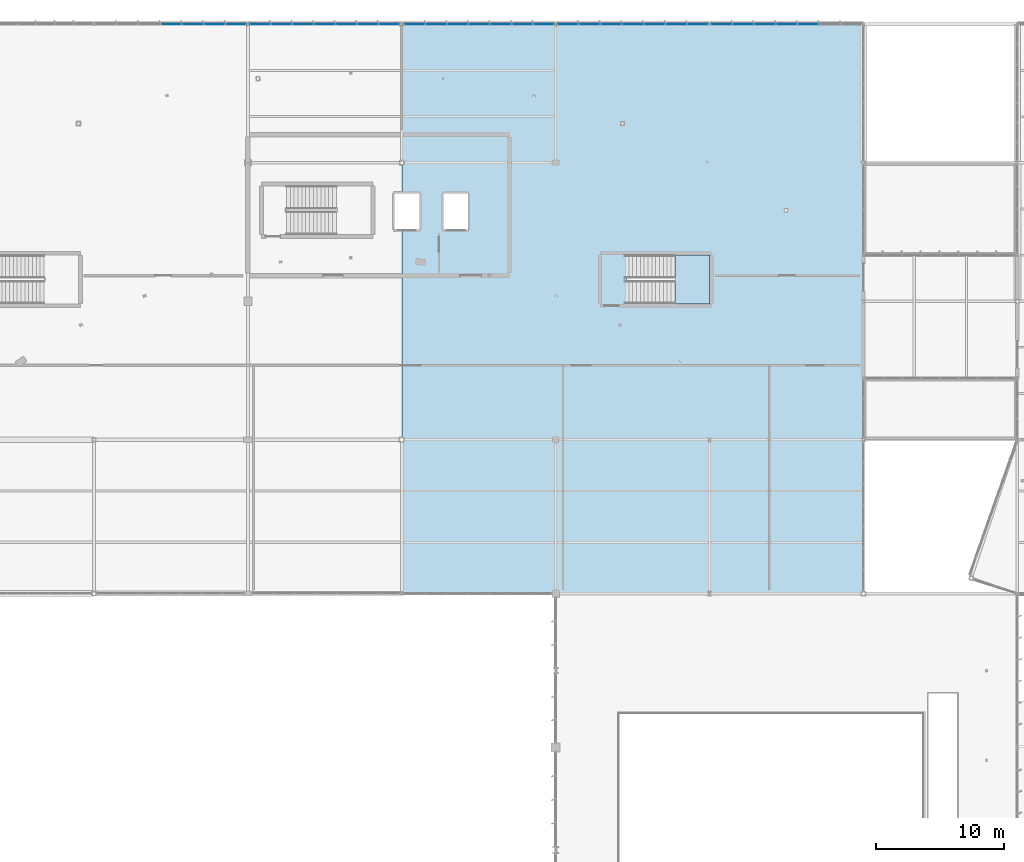
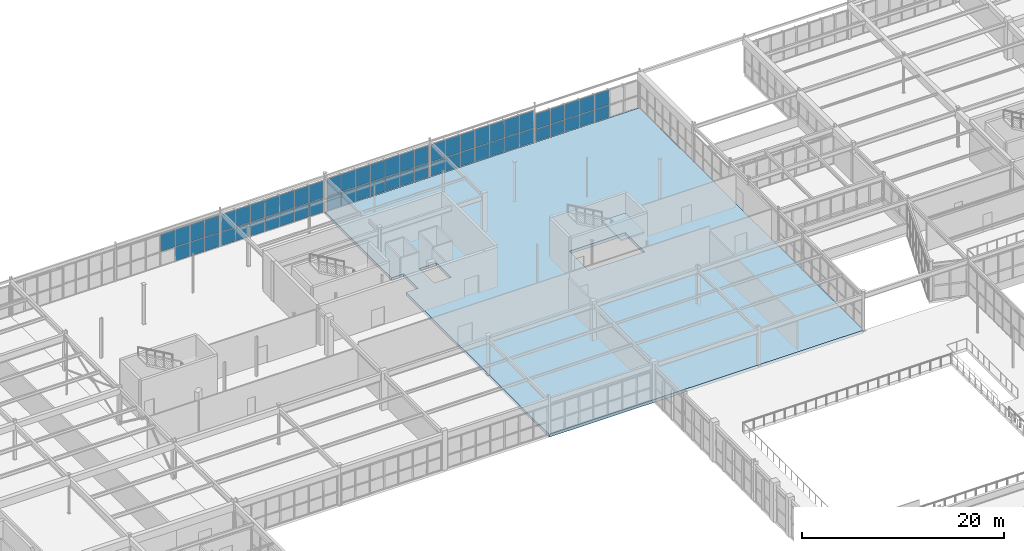
# One storey, part 142 of 226: 59 plates, 2 slabs, 6 elements without a shape of their own.
"""IFC4 building model written with IfcOpenShell, lengths in metres."""

from ifc_helpers import new_model, si_unit, direction, frame, origin, origin_2d, place, context, subcontext, project, spatial, polyline, rectangle, outline, extrude, material, layer, layer_set, type_object, element, aggregate, save


model = new_model("IFC4")

# Units and contexts
model_context = context("Model", 3, precision=1e-05, world=origin(), true_north=direction((0.0, 1.0)))
body_context = subcontext(model_context, "Body", "Model", "MODEL_VIEW")
ifc_project = project(units=[si_unit("LENGTHUNIT", "METRE"), si_unit("AREAUNIT", "SQUARE_METRE"), si_unit("VOLUMEUNIT", "CUBIC_METRE"), si_unit("PLANEANGLEUNIT", "RADIAN"), si_unit("MASSUNIT", "GRAM", prefix="KILO")], contexts=[model_context])

# Site, building, storey
site_placement = place(None, origin())
site = spatial("IfcSite", under=ifc_project, at=site_placement, CompositionType="ELEMENT")
building_placement = place(site_placement, origin())
building = spatial("IfcBuilding", under=site, at=building_placement, Name="Tarnwether General Hospital", CompositionType="ELEMENT")
storey_placement = place(building_placement, frame((0.0, 0.0, 4.800048828125)))
storey = spatial("IfcBuildingStorey", under=building, at=storey_placement, Name="L01", CompositionType="ELEMENT", Elevation=4.800048828125)

# Curtain wall, plates
ifc_material_1 = material(Name="Anodised aluminium", Category="aluminium")
ifc_layer_1 = layer(ifc_material_1, 0.159912109375)
ifc_layer_set_1 = layer_set([ifc_layer_1], Name="Anodised aluminium")
curtain_wall_type = type_object("IfcCurtainWallType", Name="CW-14", PredefinedType="NOTDEFINED", material=ifc_layer_set_1)
curtain_wall_1_placement = place(storey_placement, origin())
curtain_wall_1 = element("IfcCurtainWall", 1, at=curtain_wall_1_placement, inside=storey, type_object=curtain_wall_type, Name="Curtain Wall CWG-L01-721_1260-0324", PredefinedType="NOTDEFINED")
ifc_material_2 = material(Name="Double glazed low-E glass", Category="glass")
ifc_layer_2 = layer(ifc_material_2, 0.028076171875)
ifc_layer_set_2 = layer_set([ifc_layer_2], Name="Double glazed low-E glass")
plate_type = type_object("IfcPlateType", Name="PT-CWP1", PredefinedType="CURTAIN_PANEL", material=ifc_layer_set_2)
plate_1_placement = place(storey_placement, frame((78.0, 126.0, 1.785888671875), z_axis=(0.0, 0.0, 1.0), x_axis=(1.0, 0.0, 0.0)))
plate_1 = element("IfcPlate", 2, at=plate_1_placement, type_object=plate_type, Name="CW-14 panel 4.2", PredefinedType="CURTAIN_PANEL", context=body_context, shape_type="SweptSolid", body=[
    extrude(rectangle(XDim=1.63037109375, YDim=0.028076171875, at=origin_2d()), origin(), (0.0, 0.0, 1.0), 2.05615234375),
])
plate_2_placement = place(storey_placement, frame((79.690185546875, 126.0, 0.059814453125), z_axis=(0.0, 0.0, 1.0), x_axis=(1.0, 0.0, 0.0)))
plate_2 = element("IfcPlate", 3, at=plate_2_placement, type_object=plate_type, Name="CW-14 panel 5.1", PredefinedType="CURTAIN_PANEL", context=body_context, shape_type="SweptSolid", body=[
    extrude(rectangle(XDim=1.63037109375, YDim=0.028076171875, at=origin_2d()), origin(), (0.0, 0.0, 1.0), 1.666015625),
])
plate_3_placement = place(storey_placement, frame((79.690185546875, 126.0, 1.785888671875), z_axis=(0.0, 0.0, 1.0), x_axis=(1.0, 0.0, 0.0)))
plate_3 = element("IfcPlate", 4, at=plate_3_placement, type_object=plate_type, Name="CW-14 panel 5.2", PredefinedType="CURTAIN_PANEL", context=body_context, shape_type="SweptSolid", body=[
    extrude(rectangle(XDim=1.63037109375, YDim=0.028076171875, at=origin_2d()), origin(), (0.0, 0.0, 1.0), 2.05615234375),
])
plate_4_placement = place(storey_placement, frame((81.380615234375, 126.0, 0.059814453125), z_axis=(0.0, 0.0, 1.0), x_axis=(1.0, 0.0, 0.0)))
plate_4 = element("IfcPlate", 5, at=plate_4_placement, type_object=plate_type, Name="CW-14 panel 6.1", PredefinedType="CURTAIN_PANEL", context=body_context, shape_type="SweptSolid", body=[
    extrude(rectangle(XDim=1.63037109375, YDim=0.028076171875, at=origin_2d()), origin(), (0.0, 0.0, 1.0), 1.666015625),
])
plate_5_placement = place(storey_placement, frame((81.380615234375, 126.0, 1.785888671875), z_axis=(0.0, 0.0, 1.0), x_axis=(1.0, 0.0, 0.0)))
plate_5 = element("IfcPlate", 6, at=plate_5_placement, type_object=plate_type, Name="CW-14 panel 6.2", PredefinedType="CURTAIN_PANEL", context=body_context, shape_type="SweptSolid", body=[
    extrude(rectangle(XDim=1.63037109375, YDim=0.028076171875, at=origin_2d()), origin(), (0.0, 0.0, 1.0), 2.05615234375),
])
plate_6_placement = place(storey_placement, frame((83.055908203125, 126.0, 0.059814453125), z_axis=(0.0, 0.0, 1.0), x_axis=(1.0, 0.0, 0.0)))
plate_6 = element("IfcPlate", 7, at=plate_6_placement, type_object=plate_type, Name="CW-14 panel 7.1", PredefinedType="CURTAIN_PANEL", context=body_context, shape_type="SweptSolid", body=[
    extrude(rectangle(XDim=1.600341796875, YDim=0.028076171875, at=origin_2d()), origin(), (0.0, 0.0, 1.0), 1.666015625),
])
plate_7_placement = place(storey_placement, frame((83.055908203125, 126.0, 1.785888671875), z_axis=(0.0, 0.0, 1.0), x_axis=(1.0, 0.0, 0.0)))
plate_7 = element("IfcPlate", 8, at=plate_7_placement, type_object=plate_type, Name="CW-14 panel 7.2", PredefinedType="CURTAIN_PANEL", context=body_context, shape_type="SweptSolid", body=[
    extrude(rectangle(XDim=1.600341796875, YDim=0.028076171875, at=origin_2d()), origin(), (0.0, 0.0, 1.0), 2.05615234375),
])
aggregate(curtain_wall_1, [plate_1, plate_2, plate_3, plate_4, plate_5, plate_6, plate_7])

curtain_wall_2_placement = place(storey_placement, origin())
curtain_wall_2 = element("IfcCurtainWall", 9, at=curtain_wall_2_placement, inside=storey, type_object=curtain_wall_type, Name="Curtain Wall CWG-L01-841_1260-0325", PredefinedType="NOTDEFINED")
plate_8_placement = place(storey_placement, frame((84.93896484375, 126.0, 0.059814453125), z_axis=(0.0, 0.0, 1.0), x_axis=(1.0, 0.0, 0.0)))
plate_8 = element("IfcPlate", 10, at=plate_8_placement, type_object=plate_type, Name="CW-14 panel 1.1", PredefinedType="CURTAIN_PANEL", context=body_context, shape_type="SweptSolid", body=[
    extrude(rectangle(XDim=1.589599609375, YDim=0.028076171875, at=origin_2d()), origin(), (0.0, 0.0, 1.0), 1.666015625),
])
plate_9_placement = place(storey_placement, frame((84.93896484375, 126.0, 1.785888671875), z_axis=(0.0, 0.0, 1.0), x_axis=(1.0, 0.0, 0.0)))
plate_9 = element("IfcPlate", 11, at=plate_9_placement, type_object=plate_type, Name="CW-14 panel 1.2", PredefinedType="CURTAIN_PANEL", context=body_context, shape_type="SweptSolid", body=[
    extrude(rectangle(XDim=1.589599609375, YDim=0.028076171875, at=origin_2d()), origin(), (0.0, 0.0, 1.0), 2.05615234375),
])
plate_10_placement = place(storey_placement, frame((86.603515625, 126.0, 0.059814453125), z_axis=(0.0, 0.0, 1.0), x_axis=(1.0, 0.0, 0.0)))
plate_10 = element("IfcPlate", 12, at=plate_10_placement, type_object=plate_type, Name="CW-14 panel 2.1", PredefinedType="CURTAIN_PANEL", context=body_context, shape_type="SweptSolid", body=[
    extrude(rectangle(XDim=1.61962890625, YDim=0.028076171875, at=origin_2d()), origin(), (0.0, 0.0, 1.0), 1.666015625),
])
plate_11_placement = place(storey_placement, frame((86.603515625, 126.0, 1.785888671875), z_axis=(0.0, 0.0, 1.0), x_axis=(1.0, 0.0, 0.0)))
plate_11 = element("IfcPlate", 13, at=plate_11_placement, type_object=plate_type, Name="CW-14 panel 2.2", PredefinedType="CURTAIN_PANEL", context=body_context, shape_type="SweptSolid", body=[
    extrude(rectangle(XDim=1.61962890625, YDim=0.028076171875, at=origin_2d()), origin(), (0.0, 0.0, 1.0), 2.05615234375),
])
plate_12_placement = place(storey_placement, frame((88.283203125, 126.0, 0.059814453125), z_axis=(0.0, 0.0, 1.0), x_axis=(1.0, 0.0, 0.0)))
plate_12 = element("IfcPlate", 14, at=plate_12_placement, type_object=plate_type, Name="CW-14 panel 3.1", PredefinedType="CURTAIN_PANEL", context=body_context, shape_type="SweptSolid", body=[
    extrude(rectangle(XDim=1.61962890625, YDim=0.028076171875, at=origin_2d()), origin(), (0.0, 0.0, 1.0), 1.666015625),
])
plate_13_placement = place(storey_placement, frame((88.283203125, 126.0, 1.785888671875), z_axis=(0.0, 0.0, 1.0), x_axis=(1.0, 0.0, 0.0)))
plate_13 = element("IfcPlate", 15, at=plate_13_placement, type_object=plate_type, Name="CW-14 panel 3.2", PredefinedType="CURTAIN_PANEL", context=body_context, shape_type="SweptSolid", body=[
    extrude(rectangle(XDim=1.61962890625, YDim=0.028076171875, at=origin_2d()), origin(), (0.0, 0.0, 1.0), 2.05615234375),
])
plate_14_placement = place(storey_placement, frame((89.962890625, 126.0, 0.059814453125), z_axis=(0.0, 0.0, 1.0), x_axis=(1.0, 0.0, 0.0)))
plate_14 = element("IfcPlate", 16, at=plate_14_placement, type_object=plate_type, Name="CW-14 panel 4.1", PredefinedType="CURTAIN_PANEL", context=body_context, shape_type="SweptSolid", body=[
    extrude(rectangle(XDim=1.61962890625, YDim=0.028076171875, at=origin_2d()), origin(), (0.0, 0.0, 1.0), 1.666015625),
])
plate_15_placement = place(storey_placement, frame((89.962890625, 126.0, 1.785888671875), z_axis=(0.0, 0.0, 1.0), x_axis=(1.0, 0.0, 0.0)))
plate_15 = element("IfcPlate", 17, at=plate_15_placement, type_object=plate_type, Name="CW-14 panel 4.2", PredefinedType="CURTAIN_PANEL", context=body_context, shape_type="SweptSolid", body=[
    extrude(rectangle(XDim=1.61962890625, YDim=0.028076171875, at=origin_2d()), origin(), (0.0, 0.0, 1.0), 2.05615234375),
])
plate_16_placement = place(storey_placement, frame((91.642822265625, 126.0, 0.059814453125), z_axis=(0.0, 0.0, 1.0), x_axis=(1.0, 0.0, 0.0)))
plate_16 = element("IfcPlate", 18, at=plate_16_placement, type_object=plate_type, Name="CW-14 panel 5.1", PredefinedType="CURTAIN_PANEL", context=body_context, shape_type="SweptSolid", body=[
    extrude(rectangle(XDim=1.61962890625, YDim=0.028076171875, at=origin_2d()), origin(), (0.0, 0.0, 1.0), 1.666015625),
])
plate_17_placement = place(storey_placement, frame((91.642822265625, 126.0, 1.785888671875), z_axis=(0.0, 0.0, 1.0), x_axis=(1.0, 0.0, 0.0)))
plate_17 = element("IfcPlate", 19, at=plate_17_placement, type_object=plate_type, Name="CW-14 panel 5.2", PredefinedType="CURTAIN_PANEL", context=body_context, shape_type="SweptSolid", body=[
    extrude(rectangle(XDim=1.61962890625, YDim=0.028076171875, at=origin_2d()), origin(), (0.0, 0.0, 1.0), 2.05615234375),
])
plate_18_placement = place(storey_placement, frame((93.322509765625, 126.0, 0.059814453125), z_axis=(0.0, 0.0, 1.0), x_axis=(1.0, 0.0, 0.0)))
plate_18 = element("IfcPlate", 20, at=plate_18_placement, type_object=plate_type, Name="CW-14 panel 6.1", PredefinedType="CURTAIN_PANEL", context=body_context, shape_type="SweptSolid", body=[
    extrude(rectangle(XDim=1.61962890625, YDim=0.028076171875, at=origin_2d()), origin(), (0.0, 0.0, 1.0), 1.666015625),
])
plate_19_placement = place(storey_placement, frame((93.322509765625, 126.0, 1.785888671875), z_axis=(0.0, 0.0, 1.0), x_axis=(1.0, 0.0, 0.0)))
plate_19 = element("IfcPlate", 21, at=plate_19_placement, type_object=plate_type, Name="CW-14 panel 6.2", PredefinedType="CURTAIN_PANEL", context=body_context, shape_type="SweptSolid", body=[
    extrude(rectangle(XDim=1.61962890625, YDim=0.028076171875, at=origin_2d()), origin(), (0.0, 0.0, 1.0), 2.05615234375),
])
plate_20_placement = place(storey_placement, frame((94.987060546875, 126.0, 0.059814453125), z_axis=(0.0, 0.0, 1.0), x_axis=(1.0, 0.0, 0.0)))
plate_20 = element("IfcPlate", 22, at=plate_20_placement, type_object=plate_type, Name="CW-14 panel 7.1", PredefinedType="CURTAIN_PANEL", context=body_context, shape_type="SweptSolid", body=[
    extrude(rectangle(XDim=1.589599609375, YDim=0.028076171875, at=origin_2d()), origin(), (0.0, 0.0, 1.0), 1.666015625),
])
plate_21_placement = place(storey_placement, frame((94.987060546875, 126.0, 1.785888671875), z_axis=(0.0, 0.0, 1.0), x_axis=(1.0, 0.0, 0.0)))
plate_21 = element("IfcPlate", 23, at=plate_21_placement, type_object=plate_type, Name="CW-14 panel 7.2", PredefinedType="CURTAIN_PANEL", context=body_context, shape_type="SweptSolid", body=[
    extrude(rectangle(XDim=1.589599609375, YDim=0.028076171875, at=origin_2d()), origin(), (0.0, 0.0, 1.0), 2.05615234375),
])
aggregate(curtain_wall_2, [plate_8, plate_9, plate_10, plate_11, plate_12, plate_13, plate_14, plate_15, plate_16, plate_17, plate_18, plate_19, plate_20, plate_21])

curtain_wall_3_placement = place(storey_placement, origin())
curtain_wall_3 = element("IfcCurtainWall", 24, at=curtain_wall_3_placement, inside=storey, type_object=curtain_wall_type, Name="Curtain Wall CWG-L01-962_1260-0326", PredefinedType="NOTDEFINED")
plate_22_placement = place(storey_placement, frame((97.012451171875, 126.0, 0.06005859375), z_axis=(0.0, 0.0, 1.0), x_axis=(1.0, 0.0, 0.0)))
plate_22 = element("IfcPlate", 25, at=plate_22_placement, type_object=plate_type, Name="CW-14 panel 1.1", PredefinedType="CURTAIN_PANEL", context=body_context, shape_type="SweptSolid", body=[
    extrude(rectangle(XDim=1.589111328125, YDim=0.028076171875, at=origin_2d()), origin(), (0.0, 0.0, 1.0), 1.696533203125),
])
plate_23_placement = place(storey_placement, frame((97.012451171875, 126.0, 1.81640625), z_axis=(0.0, 0.0, 1.0), x_axis=(1.0, 0.0, 0.0)))
plate_23 = element("IfcPlate", 26, at=plate_23_placement, type_object=plate_type, Name="CW-14 panel 1.2", PredefinedType="CURTAIN_PANEL", context=body_context, shape_type="SweptSolid", body=[
    extrude(rectangle(XDim=1.589111328125, YDim=0.028076171875, at=origin_2d()), origin(), (0.0, 0.0, 1.0), 2.093505859375),
])
plate_24_placement = place(storey_placement, frame((98.676513671875, 126.0, 0.06005859375), z_axis=(0.0, 0.0, 1.0), x_axis=(1.0, 0.0, 0.0)))
plate_24 = element("IfcPlate", 27, at=plate_24_placement, type_object=plate_type, Name="CW-14 panel 2.1", PredefinedType="CURTAIN_PANEL", context=body_context, shape_type="SweptSolid", body=[
    extrude(rectangle(XDim=1.618896484375, YDim=0.028076171875, at=origin_2d()), origin(), (0.0, 0.0, 1.0), 1.696533203125),
])
plate_25_placement = place(storey_placement, frame((98.676513671875, 126.0, 1.81640625), z_axis=(0.0, 0.0, 1.0), x_axis=(1.0, 0.0, 0.0)))
plate_25 = element("IfcPlate", 28, at=plate_25_placement, type_object=plate_type, Name="CW-14 panel 2.2", PredefinedType="CURTAIN_PANEL", context=body_context, shape_type="SweptSolid", body=[
    extrude(rectangle(XDim=1.618896484375, YDim=0.028076171875, at=origin_2d()), origin(), (0.0, 0.0, 1.0), 2.093505859375),
])
plate_26_placement = place(storey_placement, frame((100.35546875, 126.0, 0.06005859375), z_axis=(0.0, 0.0, 1.0), x_axis=(1.0, 0.0, 0.0)))
plate_26 = element("IfcPlate", 29, at=plate_26_placement, type_object=plate_type, Name="CW-14 panel 3.1", PredefinedType="CURTAIN_PANEL", context=body_context, shape_type="SweptSolid", body=[
    extrude(rectangle(XDim=1.618896484375, YDim=0.028076171875, at=origin_2d()), origin(), (0.0, 0.0, 1.0), 1.696533203125),
])
plate_27_placement = place(storey_placement, frame((100.35546875, 126.0, 1.81640625), z_axis=(0.0, 0.0, 1.0), x_axis=(1.0, 0.0, 0.0)))
plate_27 = element("IfcPlate", 30, at=plate_27_placement, type_object=plate_type, Name="CW-14 panel 3.2", PredefinedType="CURTAIN_PANEL", context=body_context, shape_type="SweptSolid", body=[
    extrude(rectangle(XDim=1.618896484375, YDim=0.028076171875, at=origin_2d()), origin(), (0.0, 0.0, 1.0), 2.093505859375),
])
plate_28_placement = place(storey_placement, frame((102.034423828125, 126.0, 0.06005859375), z_axis=(0.0, 0.0, 1.0), x_axis=(1.0, 0.0, 0.0)))
plate_28 = element("IfcPlate", 31, at=plate_28_placement, type_object=plate_type, Name="CW-14 panel 4.1", PredefinedType="CURTAIN_PANEL", context=body_context, shape_type="SweptSolid", body=[
    extrude(rectangle(XDim=1.618896484375, YDim=0.028076171875, at=origin_2d()), origin(), (0.0, 0.0, 1.0), 1.696533203125),
])
plate_29_placement = place(storey_placement, frame((102.034423828125, 126.0, 1.81640625), z_axis=(0.0, 0.0, 1.0), x_axis=(1.0, 0.0, 0.0)))
plate_29 = element("IfcPlate", 32, at=plate_29_placement, type_object=plate_type, Name="CW-14 panel 4.2", PredefinedType="CURTAIN_PANEL", context=body_context, shape_type="SweptSolid", body=[
    extrude(rectangle(XDim=1.618896484375, YDim=0.028076171875, at=origin_2d()), origin(), (0.0, 0.0, 1.0), 2.093505859375),
])
plate_30_placement = place(storey_placement, frame((103.71337890625, 126.0, 0.06005859375), z_axis=(0.0, 0.0, 1.0), x_axis=(1.0, 0.0, 0.0)))
plate_30 = element("IfcPlate", 33, at=plate_30_placement, type_object=plate_type, Name="CW-14 panel 5.1", PredefinedType="CURTAIN_PANEL", context=body_context, shape_type="SweptSolid", body=[
    extrude(rectangle(XDim=1.618896484375, YDim=0.028076171875, at=origin_2d()), origin(), (0.0, 0.0, 1.0), 1.696533203125),
])
plate_31_placement = place(storey_placement, frame((103.71337890625, 126.0, 1.81640625), z_axis=(0.0, 0.0, 1.0), x_axis=(1.0, 0.0, 0.0)))
plate_31 = element("IfcPlate", 34, at=plate_31_placement, type_object=plate_type, Name="CW-14 panel 5.2", PredefinedType="CURTAIN_PANEL", context=body_context, shape_type="SweptSolid", body=[
    extrude(rectangle(XDim=1.618896484375, YDim=0.028076171875, at=origin_2d()), origin(), (0.0, 0.0, 1.0), 2.093505859375),
])
plate_32_placement = place(storey_placement, frame((105.392578125, 126.0, 0.06005859375), z_axis=(0.0, 0.0, 1.0), x_axis=(1.0, 0.0, 0.0)))
plate_32 = element("IfcPlate", 35, at=plate_32_placement, type_object=plate_type, Name="CW-14 panel 6.1", PredefinedType="CURTAIN_PANEL", context=body_context, shape_type="SweptSolid", body=[
    extrude(rectangle(XDim=1.618896484375, YDim=0.028076171875, at=origin_2d()), origin(), (0.0, 0.0, 1.0), 1.696533203125),
])
plate_33_placement = place(storey_placement, frame((105.392578125, 126.0, 1.81640625), z_axis=(0.0, 0.0, 1.0), x_axis=(1.0, 0.0, 0.0)))
plate_33 = element("IfcPlate", 36, at=plate_33_placement, type_object=plate_type, Name="CW-14 panel 6.2", PredefinedType="CURTAIN_PANEL", context=body_context, shape_type="SweptSolid", body=[
    extrude(rectangle(XDim=1.618896484375, YDim=0.028076171875, at=origin_2d()), origin(), (0.0, 0.0, 1.0), 2.093505859375),
])
plate_34_placement = place(storey_placement, frame((107.056396484375, 126.0, 0.06005859375), z_axis=(0.0, 0.0, 1.0), x_axis=(1.0, 0.0, 0.0)))
plate_34 = element("IfcPlate", 37, at=plate_34_placement, type_object=plate_type, Name="CW-14 panel 7.1", PredefinedType="CURTAIN_PANEL", context=body_context, shape_type="SweptSolid", body=[
    extrude(rectangle(XDim=1.589111328125, YDim=0.028076171875, at=origin_2d()), origin(), (0.0, 0.0, 1.0), 1.696533203125),
])
plate_35_placement = place(storey_placement, frame((107.056396484375, 126.0, 1.81640625), z_axis=(0.0, 0.0, 1.0), x_axis=(1.0, 0.0, 0.0)))
plate_35 = element("IfcPlate", 38, at=plate_35_placement, type_object=plate_type, Name="CW-14 panel 7.2", PredefinedType="CURTAIN_PANEL", context=body_context, shape_type="SweptSolid", body=[
    extrude(rectangle(XDim=1.589111328125, YDim=0.028076171875, at=origin_2d()), origin(), (0.0, 0.0, 1.0), 2.093505859375),
])
aggregate(curtain_wall_3, [plate_22, plate_23, plate_24, plate_25, plate_26, plate_27, plate_28, plate_29, plate_30, plate_31, plate_32, plate_33, plate_34, plate_35])

curtain_wall_4_placement = place(storey_placement, origin())
curtain_wall_4 = element("IfcCurtainWall", 39, at=curtain_wall_4_placement, inside=storey, type_object=curtain_wall_type, Name="Curtain Wall CWG-L01-1081_1260-0327", PredefinedType="NOTDEFINED")
plate_36_placement = place(storey_placement, frame((108.94970703125, 126.0, 0.06005859375), z_axis=(0.0, 0.0, 1.0), x_axis=(1.0, 0.0, 0.0)))
plate_36 = element("IfcPlate", 40, at=plate_36_placement, type_object=plate_type, Name="CW-14 panel 1.1", PredefinedType="CURTAIN_PANEL", context=body_context, shape_type="SweptSolid", body=[
    extrude(rectangle(XDim=1.601318359375, YDim=0.028076171875, at=origin_2d()), origin(), (0.0, 0.0, 1.0), 1.69775390625),
])
plate_37_placement = place(storey_placement, frame((108.94970703125, 126.0, 1.817626953125), z_axis=(0.0, 0.0, 1.0), x_axis=(1.0, 0.0, 0.0)))
plate_37 = element("IfcPlate", 41, at=plate_37_placement, type_object=plate_type, Name="CW-14 panel 1.2", PredefinedType="CURTAIN_PANEL", context=body_context, shape_type="SweptSolid", body=[
    extrude(rectangle(XDim=1.601318359375, YDim=0.028076171875, at=origin_2d()), origin(), (0.0, 0.0, 1.0), 2.09521484375),
])
plate_38_placement = place(storey_placement, frame((110.626220703125, 126.0, 0.06005859375), z_axis=(0.0, 0.0, 1.0), x_axis=(1.0, 0.0, 0.0)))
plate_38 = element("IfcPlate", 42, at=plate_38_placement, type_object=plate_type, Name="CW-14 panel 2.1", PredefinedType="CURTAIN_PANEL", context=body_context, shape_type="SweptSolid", body=[
    extrude(rectangle(XDim=1.63134765625, YDim=0.028076171875, at=origin_2d()), origin(), (0.0, 0.0, 1.0), 1.69775390625),
])
plate_39_placement = place(storey_placement, frame((110.626220703125, 126.0, 1.817626953125), z_axis=(0.0, 0.0, 1.0), x_axis=(1.0, 0.0, 0.0)))
plate_39 = element("IfcPlate", 43, at=plate_39_placement, type_object=plate_type, Name="CW-14 panel 2.2", PredefinedType="CURTAIN_PANEL", context=body_context, shape_type="SweptSolid", body=[
    extrude(rectangle(XDim=1.63134765625, YDim=0.028076171875, at=origin_2d()), origin(), (0.0, 0.0, 1.0), 2.09521484375),
])
plate_40_placement = place(storey_placement, frame((112.317626953125, 126.0, 0.06005859375), z_axis=(0.0, 0.0, 1.0), x_axis=(1.0, 0.0, 0.0)))
plate_40 = element("IfcPlate", 44, at=plate_40_placement, type_object=plate_type, Name="CW-14 panel 3.1", PredefinedType="CURTAIN_PANEL", context=body_context, shape_type="SweptSolid", body=[
    extrude(rectangle(XDim=1.63134765625, YDim=0.028076171875, at=origin_2d()), origin(), (0.0, 0.0, 1.0), 1.69775390625),
])
plate_41_placement = place(storey_placement, frame((112.317626953125, 126.0, 1.817626953125), z_axis=(0.0, 0.0, 1.0), x_axis=(1.0, 0.0, 0.0)))
plate_41 = element("IfcPlate", 45, at=plate_41_placement, type_object=plate_type, Name="CW-14 panel 3.2", PredefinedType="CURTAIN_PANEL", context=body_context, shape_type="SweptSolid", body=[
    extrude(rectangle(XDim=1.63134765625, YDim=0.028076171875, at=origin_2d()), origin(), (0.0, 0.0, 1.0), 2.09521484375),
])
plate_42_placement = place(storey_placement, frame((114.009033203125, 126.0, 0.06005859375), z_axis=(0.0, 0.0, 1.0), x_axis=(1.0, 0.0, 0.0)))
plate_42 = element("IfcPlate", 46, at=plate_42_placement, type_object=plate_type, Name="CW-14 panel 4.1", PredefinedType="CURTAIN_PANEL", context=body_context, shape_type="SweptSolid", body=[
    extrude(rectangle(XDim=1.63134765625, YDim=0.028076171875, at=origin_2d()), origin(), (0.0, 0.0, 1.0), 1.69775390625),
])
plate_43_placement = place(storey_placement, frame((114.009033203125, 126.0, 1.817626953125), z_axis=(0.0, 0.0, 1.0), x_axis=(1.0, 0.0, 0.0)))
plate_43 = element("IfcPlate", 47, at=plate_43_placement, type_object=plate_type, Name="CW-14 panel 4.2", PredefinedType="CURTAIN_PANEL", context=body_context, shape_type="SweptSolid", body=[
    extrude(rectangle(XDim=1.63134765625, YDim=0.028076171875, at=origin_2d()), origin(), (0.0, 0.0, 1.0), 2.09521484375),
])
plate_44_placement = place(storey_placement, frame((115.700439453125, 126.0, 0.06005859375), z_axis=(0.0, 0.0, 1.0), x_axis=(1.0, 0.0, 0.0)))
plate_44 = element("IfcPlate", 48, at=plate_44_placement, type_object=plate_type, Name="CW-14 panel 5.1", PredefinedType="CURTAIN_PANEL", context=body_context, shape_type="SweptSolid", body=[
    extrude(rectangle(XDim=1.63134765625, YDim=0.028076171875, at=origin_2d()), origin(), (0.0, 0.0, 1.0), 1.69775390625),
])
plate_45_placement = place(storey_placement, frame((115.700439453125, 126.0, 1.817626953125), z_axis=(0.0, 0.0, 1.0), x_axis=(1.0, 0.0, 0.0)))
plate_45 = element("IfcPlate", 49, at=plate_45_placement, type_object=plate_type, Name="CW-14 panel 5.2", PredefinedType="CURTAIN_PANEL", context=body_context, shape_type="SweptSolid", body=[
    extrude(rectangle(XDim=1.63134765625, YDim=0.028076171875, at=origin_2d()), origin(), (0.0, 0.0, 1.0), 2.09521484375),
])
plate_46_placement = place(storey_placement, frame((117.391845703125, 126.0, 0.06005859375), z_axis=(0.0, 0.0, 1.0), x_axis=(1.0, 0.0, 0.0)))
plate_46 = element("IfcPlate", 50, at=plate_46_placement, type_object=plate_type, Name="CW-14 panel 6.1", PredefinedType="CURTAIN_PANEL", context=body_context, shape_type="SweptSolid", body=[
    extrude(rectangle(XDim=1.63134765625, YDim=0.028076171875, at=origin_2d()), origin(), (0.0, 0.0, 1.0), 1.69775390625),
])
plate_47_placement = place(storey_placement, frame((117.391845703125, 126.0, 1.817626953125), z_axis=(0.0, 0.0, 1.0), x_axis=(1.0, 0.0, 0.0)))
plate_47 = element("IfcPlate", 51, at=plate_47_placement, type_object=plate_type, Name="CW-14 panel 6.2", PredefinedType="CURTAIN_PANEL", context=body_context, shape_type="SweptSolid", body=[
    extrude(rectangle(XDim=1.63134765625, YDim=0.028076171875, at=origin_2d()), origin(), (0.0, 0.0, 1.0), 2.09521484375),
])
plate_48_placement = place(storey_placement, frame((119.068359375, 126.0, 0.06005859375), z_axis=(0.0, 0.0, 1.0), x_axis=(1.0, 0.0, 0.0)))
plate_48 = element("IfcPlate", 52, at=plate_48_placement, type_object=plate_type, Name="CW-14 panel 7.1", PredefinedType="CURTAIN_PANEL", context=body_context, shape_type="SweptSolid", body=[
    extrude(rectangle(XDim=1.601318359375, YDim=0.028076171875, at=origin_2d()), origin(), (0.0, 0.0, 1.0), 1.69775390625),
])
plate_49_placement = place(storey_placement, frame((119.068359375, 126.0, 1.817626953125), z_axis=(0.0, 0.0, 1.0), x_axis=(1.0, 0.0, 0.0)))
plate_49 = element("IfcPlate", 53, at=plate_49_placement, type_object=plate_type, Name="CW-14 panel 7.2", PredefinedType="CURTAIN_PANEL", context=body_context, shape_type="SweptSolid", body=[
    extrude(rectangle(XDim=1.601318359375, YDim=0.028076171875, at=origin_2d()), origin(), (0.0, 0.0, 1.0), 2.09521484375),
])
aggregate(curtain_wall_4, [plate_36, plate_37, plate_38, plate_39, plate_40, plate_41, plate_42, plate_43, plate_44, plate_45, plate_46, plate_47, plate_48, plate_49])

curtain_wall_5_placement = place(storey_placement, origin())
curtain_wall_5 = element("IfcCurtainWall", 54, at=curtain_wall_5_placement, inside=storey, type_object=curtain_wall_type, Name="Curtain Wall CWG-L01-1201_1260-0328", PredefinedType="NOTDEFINED")
plate_50_placement = place(storey_placement, frame((120.93212890625, 126.0, 0.059814453125), z_axis=(0.0, 0.0, 1.0), x_axis=(1.0, 0.0, 0.0)))
plate_50 = element("IfcPlate", 55, at=plate_50_placement, type_object=plate_type, Name="CW-14 panel 1.1", PredefinedType="CURTAIN_PANEL", context=body_context, shape_type="SweptSolid", body=[
    extrude(rectangle(XDim=1.60205078125, YDim=0.028076171875, at=origin_2d()), origin(), (0.0, 0.0, 1.0), 1.47607421875),
])
plate_51_placement = place(storey_placement, frame((120.93212890625, 126.0, 1.59619140625), z_axis=(0.0, 0.0, 1.0), x_axis=(1.0, 0.0, 0.0)))
plate_51 = element("IfcPlate", 56, at=plate_51_placement, type_object=plate_type, Name="CW-14 panel 1.2", PredefinedType="CURTAIN_PANEL", context=body_context, shape_type="SweptSolid", body=[
    extrude(rectangle(XDim=1.60205078125, YDim=0.028076171875, at=origin_2d()), origin(), (0.0, 0.0, 1.0), 1.823974609375),
])
plate_52_placement = place(storey_placement, frame((122.609130859375, 126.0, 0.059814453125), z_axis=(0.0, 0.0, 1.0), x_axis=(1.0, 0.0, 0.0)))
plate_52 = element("IfcPlate", 57, at=plate_52_placement, type_object=plate_type, Name="CW-14 panel 2.1", PredefinedType="CURTAIN_PANEL", context=body_context, shape_type="SweptSolid", body=[
    extrude(rectangle(XDim=1.632080078125, YDim=0.028076171875, at=origin_2d()), origin(), (0.0, 0.0, 1.0), 1.47607421875),
])
plate_53_placement = place(storey_placement, frame((122.609130859375, 126.0, 1.59619140625), z_axis=(0.0, 0.0, 1.0), x_axis=(1.0, 0.0, 0.0)))
plate_53 = element("IfcPlate", 58, at=plate_53_placement, type_object=plate_type, Name="CW-14 panel 2.2", PredefinedType="CURTAIN_PANEL", context=body_context, shape_type="SweptSolid", body=[
    extrude(rectangle(XDim=1.632080078125, YDim=0.028076171875, at=origin_2d()), origin(), (0.0, 0.0, 1.0), 1.823974609375),
])
plate_54_placement = place(storey_placement, frame((124.30126953125, 126.0, 0.059814453125), z_axis=(0.0, 0.0, 1.0), x_axis=(1.0, 0.0, 0.0)))
plate_54 = element("IfcPlate", 59, at=plate_54_placement, type_object=plate_type, Name="CW-14 panel 3.1", PredefinedType="CURTAIN_PANEL", context=body_context, shape_type="SweptSolid", body=[
    extrude(rectangle(XDim=1.632080078125, YDim=0.028076171875, at=origin_2d()), origin(), (0.0, 0.0, 1.0), 1.47607421875),
])
plate_55_placement = place(storey_placement, frame((124.30126953125, 126.0, 1.59619140625), z_axis=(0.0, 0.0, 1.0), x_axis=(1.0, 0.0, 0.0)))
plate_55 = element("IfcPlate", 60, at=plate_55_placement, type_object=plate_type, Name="CW-14 panel 3.2", PredefinedType="CURTAIN_PANEL", context=body_context, shape_type="SweptSolid", body=[
    extrude(rectangle(XDim=1.632080078125, YDim=0.028076171875, at=origin_2d()), origin(), (0.0, 0.0, 1.0), 1.823974609375),
])
plate_56_placement = place(storey_placement, frame((125.993408203125, 126.0, 0.059814453125), z_axis=(0.0, 0.0, 1.0), x_axis=(1.0, 0.0, 0.0)))
plate_56 = element("IfcPlate", 61, at=plate_56_placement, type_object=plate_type, Name="CW-14 panel 4.1", PredefinedType="CURTAIN_PANEL", context=body_context, shape_type="SweptSolid", body=[
    extrude(rectangle(XDim=1.632080078125, YDim=0.028076171875, at=origin_2d()), origin(), (0.0, 0.0, 1.0), 1.47607421875),
])
plate_57_placement = place(storey_placement, frame((125.993408203125, 126.0, 1.59619140625), z_axis=(0.0, 0.0, 1.0), x_axis=(1.0, 0.0, 0.0)))
plate_57 = element("IfcPlate", 62, at=plate_57_placement, type_object=plate_type, Name="CW-14 panel 4.2", PredefinedType="CURTAIN_PANEL", context=body_context, shape_type="SweptSolid", body=[
    extrude(rectangle(XDim=1.632080078125, YDim=0.028076171875, at=origin_2d()), origin(), (0.0, 0.0, 1.0), 1.823974609375),
])
plate_58_placement = place(storey_placement, frame((127.685546875, 126.0, 0.059814453125), z_axis=(0.0, 0.0, 1.0), x_axis=(1.0, 0.0, 0.0)))
plate_58 = element("IfcPlate", 63, at=plate_58_placement, type_object=plate_type, Name="CW-14 panel 5.1", PredefinedType="CURTAIN_PANEL", context=body_context, shape_type="SweptSolid", body=[
    extrude(rectangle(XDim=1.632080078125, YDim=0.028076171875, at=origin_2d()), origin(), (0.0, 0.0, 1.0), 1.47607421875),
])
plate_59_placement = place(storey_placement, frame((127.685546875, 126.0, 1.59619140625), z_axis=(0.0, 0.0, 1.0), x_axis=(1.0, 0.0, 0.0)))
plate_59 = element("IfcPlate", 64, at=plate_59_placement, type_object=plate_type, Name="CW-14 panel 5.2", PredefinedType="CURTAIN_PANEL", context=body_context, shape_type="SweptSolid", body=[
    extrude(rectangle(XDim=1.632080078125, YDim=0.028076171875, at=origin_2d()), origin(), (0.0, 0.0, 1.0), 1.823974609375),
])
aggregate(curtain_wall_5, [plate_50, plate_51, plate_52, plate_53, plate_54, plate_55, plate_56, plate_57, plate_58, plate_59])

# Slab
ifc_material_3 = material(Name="Concrete 40 MPa", Category="concrete")
ifc_layer_3 = layer(ifc_material_3, 0.35498046875)
ifc_layer_set_3 = layer_set([ifc_layer_3], Name="Concrete 40 MPa")
slab_type_1 = type_object("IfcSlabType", Name="SL-FL220", PredefinedType="FLOOR", material=ifc_layer_set_3)
slab_1_placement = place(storey_placement, frame((0.0, 0.0, -0.35498046875)))
element("IfcSlab", 65, at=slab_1_placement, inside=storey, type_object=slab_type_1, Name="L01 Pathology East Floor SL-L01-V4N2", PredefinedType="FLOOR", context=body_context, shape_type="SweptSolid", body=[
    extrude(outline(polyline([(96.0, 126.0), (132.0, 126.0), (132.0, 81.60009765625), (96.0, 81.60009765625), (96.0, 109.969970703125), (97.3798828125, 109.969970703125), (97.3798828125, 112.830078125), (96.0, 112.830078125), (96.0, 126.0)]), holes=[polyline([(120.0, 104.199951171875), (120.0, 108.0), (113.580078125, 108.0), (113.580078125, 104.199951171875), (120.0, 104.199951171875)]), polyline([(101.179931640625, 109.969970703125), (101.179931640625, 112.830078125), (99.219970703125, 112.830078125), (99.219970703125, 109.969970703125), (101.179931640625, 109.969970703125)])]), origin(), (0.0, 0.0, 1.0), 0.35498046875),
])

# Stair, slab
ifc_material_4 = material(Name="Concrete 40 MPa", Category="concrete")
stair_type = type_object("IfcStairType", Name="ST-DL48B", PredefinedType="HALF_TURN_STAIR", material=ifc_material_4)
stair_placement = place(storey_placement, origin())
stair = element("IfcStair", 66, at=stair_placement, inside=storey, type_object=stair_type, Name="L01 Exit Stair ST-08", PredefinedType="HALF_TURN_STAIR")
ifc_material_5 = material(Name="Concrete 40 MPa", Category="concrete")
ifc_layer_4 = layer(ifc_material_5, 0.199951171875)
ifc_layer_set_4 = layer_set([ifc_layer_4], Name="Concrete 40 MPa")
slab_type_2 = type_object("IfcSlabType", Name="SL-LD200", PredefinedType="LANDING", material=ifc_layer_set_4)
slab_2_placement = place(storey_placement, frame((0.0, 0.0, 2.199951171875)))
slab_2 = element("IfcSlab", 67, at=slab_2_placement, type_object=slab_type_2, Name="ST-08 landing 1", PredefinedType="LANDING", context=body_context, shape_type="SweptSolid", body=[
    extrude(outline(polyline([(117.300048828125, 104.199951171875), (120.0, 104.199951171875), (120.0, 108.0), (117.300048828125, 108.0), (117.300048828125, 104.199951171875)])), origin(), (0.0, 0.0, 1.0), 0.199951171875),
])
aggregate(stair, [slab_2])

save(model, "model.ifc")
